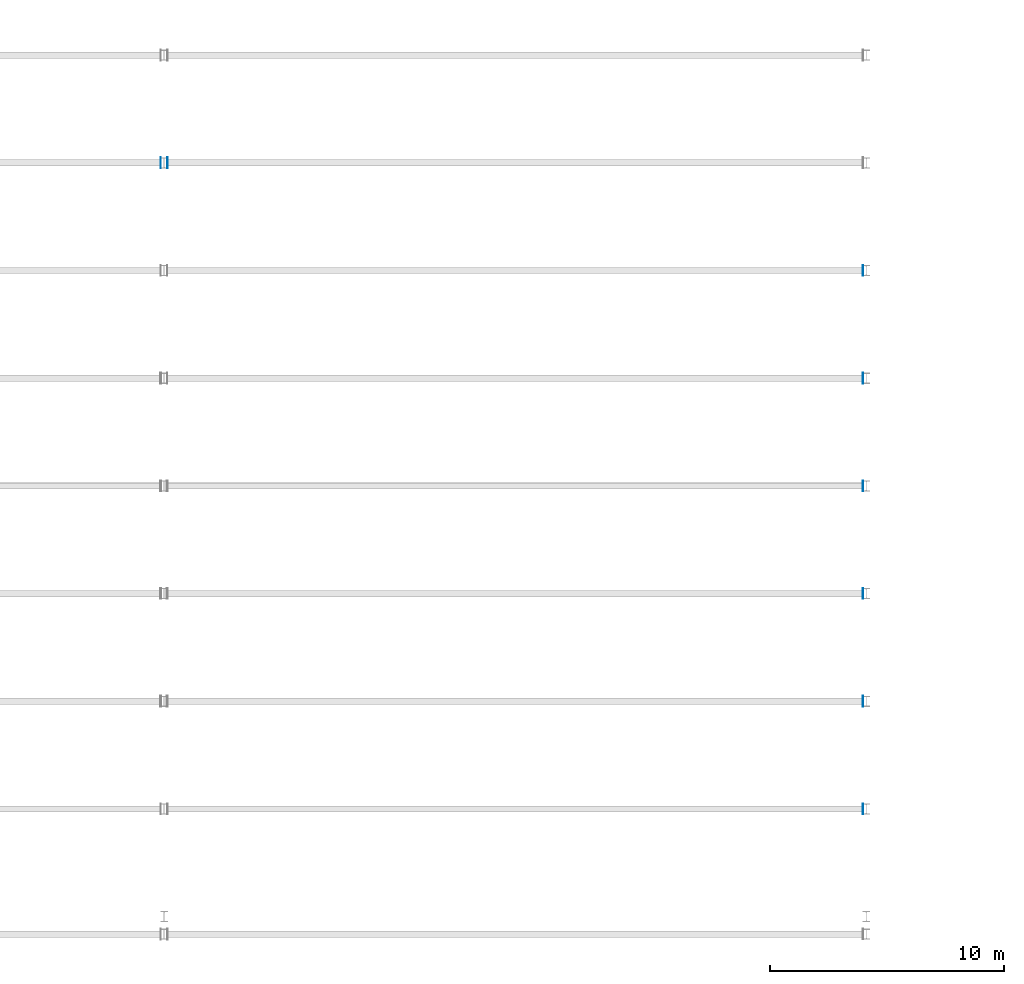
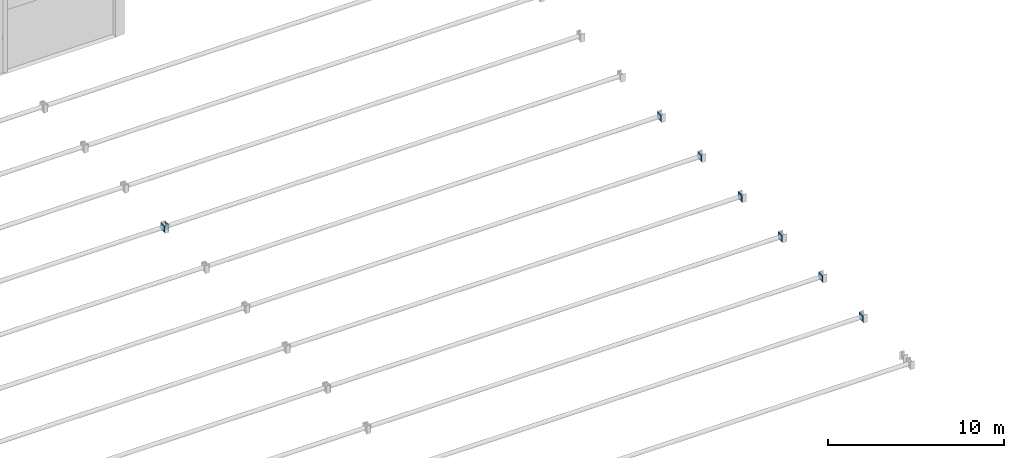
# One storey, part 28 of 38: 8 plates.
"""IFC4 building model written with IfcOpenShell, lengths in metres."""

import ifcopenshell
import ifcopenshell.guid

model = None  # the IFC model being written
_history = None  # IfcOwnerHistory: only IFC2X3 demands one
_inside = {}  # id of a spatial element -> (the spatial element, [elements in it])
_under = {}  # id of a project, library or spatial element -> (it, [spatial elements below it])
_declared = {}  # id of a project -> (the project, [libraries it declares])
_typed = {}  # id of a type object -> (the type object, [elements of that type])
_made_of = {}  # id of a material, layer set ... -> (it, [elements and type objects made of it])


def new_model(schema):
    """Start an empty IFC model of exactly this schema.

    Asked for "IFC4X3", IfcOpenShell would pick the latest addendum, in which some entities
    have other attributes; the version numbers below select the first issue.
    IFC2X3 requires an IfcOwnerHistory on every rooted entity: one is made here for all.
    """
    global model, _history
    if schema == "IFC4X3":
        model = ifcopenshell.file(schema_version=(4, 3, 0, 0))
    else:
        model = ifcopenshell.file(schema=schema)
    _inside.clear()
    _under.clear()
    _declared.clear()
    _typed.clear()
    _made_of.clear()
    _history = None
    if model.schema == "IFC2X3":
        org = make("IfcOrganization", Name="unknown")
        user = make(
            "IfcPersonAndOrganization",
            ThePerson=make("IfcPerson", FamilyName="unknown"),
            TheOrganization=org,
        )
        app = make(
            "IfcApplication",
            ApplicationDeveloper=org,
            Version="unknown",
            ApplicationFullName="unknown",
            ApplicationIdentifier="unknown",
        )
        _history = make(
            "IfcOwnerHistory",
            OwningUser=user,
            OwningApplication=app,
            ChangeAction="ADDED",
            CreationDate=0,
        )
    return model


def make(cls, **values):
    """One entity of the class cls with the attributes given. An attribute that is None is left unset."""
    return model.create_entity(
        cls, **{name: value for name, value in values.items() if value is not None}
    )


def rooted(cls, **values):
    """An entity with a GlobalId (a new one), such as an element, a storey or a relation."""
    return make(cls, GlobalId=ifcopenshell.guid.new(), OwnerHistory=_history, **values)


def si_unit(unit_type, name, prefix=None):
    """IfcSIUnit, for example si_unit("LENGTHUNIT", "METRE", prefix="MILLI")."""
    return make("IfcSIUnit", UnitType=unit_type, Prefix=prefix, Name=name)


def assignment(units):
    """IfcUnitAssignment: the units of a project."""
    return None if units is None else make("IfcUnitAssignment", Units=units)


def point(xyz):
    """IfcCartesianPoint."""
    return None if xyz is None else make("IfcCartesianPoint", Coordinates=xyz)


def direction(xyz):
    """IfcDirection."""
    return None if xyz is None else make("IfcDirection", DirectionRatios=xyz)


def frame(location, z_axis=None, x_axis=None):
    """IfcAxis2Placement3D, a coordinate frame: its origin and axes. An axis left out is left unset."""
    return make(
        "IfcAxis2Placement3D",
        Location=point(location),
        Axis=direction(z_axis),
        RefDirection=direction(x_axis),
    )


def frame_2d(location, x_axis=None):
    """IfcAxis2Placement2D, a coordinate frame in the plane: its origin and x axis."""
    return make(
        "IfcAxis2Placement2D", Location=point(location), RefDirection=direction(x_axis)
    )


def origin():
    """The frame at (0, 0, 0) with its axes left unset."""
    return frame((0.0, 0.0, 0.0))


def origin_2d():
    """The frame at (0, 0) in the plane with its x axis left unset."""
    return frame_2d((0.0, 0.0))


def place(relative_to, where):
    """IfcLocalPlacement: puts the frame where relative to a parent placement (None: the world)."""
    return make(
        "IfcLocalPlacement", PlacementRelTo=relative_to, RelativePlacement=where
    )


def context(
    kind, dimensions, precision=None, world=None, true_north=None, identifier=None
):
    """IfcGeometricRepresentationContext, for example the 3D "Model" context."""
    return make(
        "IfcGeometricRepresentationContext",
        ContextIdentifier=identifier,
        ContextType=kind,
        CoordinateSpaceDimension=dimensions,
        Precision=precision,
        WorldCoordinateSystem=world,
        TrueNorth=true_north,
    )


def subcontext(parent, identifier, kind, view, scale=None):
    """IfcGeometricRepresentationSubContext, for example "Body" below "Model"."""
    return make(
        "IfcGeometricRepresentationSubContext",
        ContextIdentifier=identifier,
        ContextType=kind,
        ParentContext=parent,
        TargetScale=scale,
        TargetView=view,
    )


def project(units=None, contexts=None):
    """IfcProject with its units and contexts."""
    return rooted(
        "IfcProject",
        Name="project",
        RepresentationContexts=contexts,
        UnitsInContext=assignment(units),
    )


def spatial(cls, under=None, at=None, **own):
    """A site, building, storey or space (cls), placed at a placement, below another one or the project."""
    s = rooted(cls, ObjectPlacement=at, **own)
    if under is not None:
        _under.setdefault(under.id(), (under, []))[1].append(s)
    return s


def profile(cls, at=None, kind="AREA", **sizes):
    """A parametric profile (cls). Its sizes go by their IFC names, for example OverallWidth=200.0."""
    return make(cls, ProfileType=kind, Position=at, **sizes)


def rectangle(**sizes):
    """IfcRectangleProfileDef."""
    return profile("IfcRectangleProfileDef", **sizes)


def extrude(swept, where, along, depth):
    """IfcExtrudedAreaSolid: the profile swept, set in the frame where, extruded along a direction by depth."""
    return make(
        "IfcExtrudedAreaSolid",
        SweptArea=swept,
        Position=where,
        ExtrudedDirection=direction(along),
        Depth=depth,
    )


def shape(context_of_items, identifier, shape_type, items):
    """IfcShapeRepresentation: the items that make up one representation, for example the "Body"."""
    return make(
        "IfcShapeRepresentation",
        ContextOfItems=context_of_items,
        RepresentationIdentifier=identifier,
        RepresentationType=shape_type,
        Items=items,
    )


def material(Name=None, Category=None):
    """IfcMaterial."""
    return make("IfcMaterial", Name=Name, Category=Category)


def layer(
    of_material, thickness, ventilated=None, Name=None, Category=None, Priority=None
):
    """IfcMaterialLayer: one layer of a wall or slab, of a material (None: an air gap)."""
    return make(
        "IfcMaterialLayer",
        Material=of_material,
        LayerThickness=thickness,
        IsVentilated=ventilated,
        Name=Name,
        Category=Category,
        Priority=Priority,
    )


def layer_set(layers, Name=None):
    """IfcMaterialLayerSet."""
    return make("IfcMaterialLayerSet", MaterialLayers=layers, LayerSetName=Name)


def made_of(thing, what):
    """Note that an element or type object is made of a material, layer set ...; save() writes the relation."""
    if what is not None:
        _made_of.setdefault(what.id(), (what, []))[1].append(thing)
    return thing


def type_object(cls, material=None, **own):
    """A type object (cls), such as IfcWallType, which elements share."""
    return made_of(rooted(cls, **own), material)


def element(
    cls,
    number,
    at=None,
    inside=None,
    cuts=None,
    type_object=None,
    material=None,
    context=None,
    identifier="Body",
    shape_type=None,
    held_by="IfcProductDefinitionShape",
    body=None,
    shapes=None,
    **own,
):
    """One element of the class cls, such as IfcWall. Its Tag is "e" and its number.

    at: its placement. inside: the storey or other place that contains it. cuts: it is an
    opening in that element (IfcRelVoidsElement). A single representation is given by context,
    identifier, shape_type and body (its items); several are given by shapes. held_by: the class
    of the entity that holds the representations. save() writes the other relations.
    """
    e = rooted(cls, Tag="e%d" % number, ObjectPlacement=at, **own)
    if body is not None:
        shapes = [shape(context, identifier, shape_type, body)]
    if shapes is not None:
        e.Representation = make(held_by, Representations=shapes)
    if inside is not None:
        _inside.setdefault(inside.id(), (inside, []))[1].append(e)
    if cuts is not None:
        rooted(
            "IfcRelVoidsElement", RelatingBuildingElement=cuts, RelatedOpeningElement=e
        )
    if type_object is not None:
        _typed.setdefault(type_object.id(), (type_object, []))[1].append(e)
    return made_of(e, material)


def aggregate(whole, parts):
    """IfcRelAggregates: a whole, such as a stair, and the parts it consists of."""
    return rooted("IfcRelAggregates", RelatingObject=whole, RelatedObjects=parts)


def save(model, path):
    """Write the relations noted so far, then the file.

    IfcRelAggregates (storeys below a building ...), IfcRelContainedInSpatialStructure (elements
    in a storey), IfcRelDefinesByType, IfcRelAssociatesMaterial and IfcRelDeclares: one each for
    every whole, place, type object, material and project.
    """
    for whole, parts in _under.values():
        aggregate(whole, parts)
    for where, things in _inside.values():
        rooted(
            "IfcRelContainedInSpatialStructure",
            RelatedElements=things,
            RelatingStructure=where,
        )
    for kind, things in _typed.values():
        rooted("IfcRelDefinesByType", RelatedObjects=things, RelatingType=kind)
    for what, things in _made_of.values():
        rooted("IfcRelAssociatesMaterial", RelatedObjects=things, RelatingMaterial=what)
    for by, libraries in _declared.values():
        rooted("IfcRelDeclares", RelatingContext=by, RelatedDefinitions=libraries)
    model.write(path)


model = new_model("IFC4")

# Units and contexts
model_context = context("Model", 3, precision=1e-05, world=origin(), true_north=direction((0.0, 1.0)))
body_context = subcontext(model_context, "Body", "Model", "MODEL_VIEW")
ifc_project = project(units=[si_unit("LENGTHUNIT", "METRE"), si_unit("AREAUNIT", "SQUARE_METRE"), si_unit("VOLUMEUNIT", "CUBIC_METRE"), si_unit("PLANEANGLEUNIT", "RADIAN"), si_unit("MASSUNIT", "GRAM", prefix="KILO")], contexts=[model_context])

# Site, building, storey
site_placement = place(None, origin())
site = spatial("IfcSite", under=ifc_project, at=site_placement, CompositionType="ELEMENT")
building_placement = place(site_placement, origin())
building = spatial("IfcBuilding", under=site, at=building_placement, Name="Muzn Square Opera House", CompositionType="ELEMENT")
storey_placement = place(building_placement, frame((0.0, 0.0, 18.0)))
storey = spatial("IfcBuildingStorey", under=building, at=storey_placement, Name="L04", CompositionType="ELEMENT", Elevation=18.0)

# Plates
ifc_material = material(Name="Steel S355", Category="steel")
ifc_layer_1 = layer(ifc_material, 0.013916015625, Name="Steel S355", Category="steel")
ifc_layer_set_1 = layer_set([ifc_layer_1], Name="Steel S355")
plate_type_1 = type_object("IfcPlateType", Name="Gusset Plate 14mm 460x460", PredefinedType="USERDEFINED", material=ifc_layer_set_1)
plate_1_placement = place(storey_placement, frame((132.860107421875, 45.0, 0.070068359375), z_axis=(0.0, 0.0, 1.0), x_axis=(1.0, 0.0, 0.0)))
element("IfcPlate", 1, at=plate_1_placement, inside=storey, type_object=plate_type_1, Name="Vault Tie End Gusset Plate V3-05-E", ObjectType="GUSSET PLATE", PredefinedType="USERDEFINED", context=body_context, shape_type="SweptSolid", body=[
    extrude(rectangle(XDim=0.013916015625, YDim=0.4599609375, at=origin_2d()), origin(), (0.0, 0.0, 1.0), 0.4599609375),
])
ifc_layer_2 = layer(ifc_material, 0.01611328125, Name="Steel S355", Category="steel")
ifc_layer_set_2 = layer_set([ifc_layer_2], Name="Steel S355")
plate_type_2 = type_object("IfcPlateType", Name="Gusset Plate 16mm 460x460", PredefinedType="USERDEFINED", material=ifc_layer_set_2)
for number, where, z_axis, x_axis, name in (
    (2, (102.860107421875, 54.199951171875, 0.070068359375), (0.0, 0.0, 1.0), (1.0, 0.0, 0.0), "Vault Tie End Gusset Plate V2-07-E"),
    (3, (132.860107421875, 49.60009765625, 0.070068359375), (0.0, 0.0, 1.0), (1.0, 0.0, 0.0), "Vault Tie End Gusset Plate V3-06-E"),
):
    element("IfcPlate", number, at=place(storey_placement, frame(where, z_axis=z_axis, x_axis=x_axis)), inside=storey, type_object=plate_type_2, Name=name, ObjectType="GUSSET PLATE", PredefinedType="USERDEFINED", context=body_context, shape_type="SweptSolid", body=[
        extrude(rectangle(XDim=0.01611328125, YDim=0.4599609375, at=origin_2d()), origin(), (0.0, 0.0, 1.0), 0.4599609375),
    ])
ifc_layer_3 = layer(ifc_material, 0.01806640625, Name="Steel S355", Category="steel")
ifc_layer_set_3 = layer_set([ifc_layer_3], Name="Steel S355")
plate_type_3 = type_object("IfcPlateType", Name="Gusset Plate 18mm 460x460", PredefinedType="USERDEFINED", material=ifc_layer_set_3)
plate_2_placement = place(storey_placement, frame((103.139892578125, 54.199951171875, 0.070068359375), z_axis=(0.0, 0.0, 1.0), x_axis=(1.0, 0.0, 0.0)))
element("IfcPlate", 4, at=plate_2_placement, inside=storey, type_object=plate_type_3, Name="Vault Tie End Gusset Plate V3-07-W", ObjectType="GUSSET PLATE", PredefinedType="USERDEFINED", context=body_context, shape_type="SweptSolid", body=[
    extrude(rectangle(XDim=0.01806640625, YDim=0.4599609375, at=origin_2d()), origin(), (0.0, 0.0, 1.0), 0.4599609375),
])
ifc_layer_4 = layer(ifc_material, 0.02392578125, Name="Steel S355", Category="steel")
ifc_layer_set_4 = layer_set([ifc_layer_4], Name="Steel S355")
plate_type_4 = type_object("IfcPlateType", Name="Gusset Plate 24mm 460x460", PredefinedType="USERDEFINED", material=ifc_layer_set_4)
plate_3_placement = place(storey_placement, frame((132.860107421875, 26.60009765625, 0.070068359375), z_axis=(0.0, 0.0, 1.0), x_axis=(1.0, 0.0, 0.0)))
element("IfcPlate", 5, at=plate_3_placement, inside=storey, type_object=plate_type_4, Name="Vault Tie End Gusset Plate V3-01-E", ObjectType="GUSSET PLATE", PredefinedType="USERDEFINED", context=body_context, shape_type="SweptSolid", body=[
    extrude(rectangle(XDim=0.02392578125, YDim=0.4599609375, at=origin_2d()), origin(), (0.0, 0.0, 1.0), 0.4599609375),
])
ifc_layer_5 = layer(ifc_material, 0.028076171875, Name="Steel S355", Category="steel")
ifc_layer_set_5 = layer_set([ifc_layer_5], Name="Steel S355")
plate_type_5 = type_object("IfcPlateType", Name="Gusset Plate 28mm 460x460", PredefinedType="USERDEFINED", material=ifc_layer_set_5)
plate_4_placement = place(storey_placement, frame((132.860107421875, 31.199951171875, 0.070068359375), z_axis=(0.0, 0.0, 1.0), x_axis=(1.0, 0.0, 0.0)))
element("IfcPlate", 6, at=plate_4_placement, inside=storey, type_object=plate_type_5, Name="Vault Tie End Gusset Plate V3-02-E", ObjectType="GUSSET PLATE", PredefinedType="USERDEFINED", context=body_context, shape_type="SweptSolid", body=[
    extrude(rectangle(XDim=0.028076171875, YDim=0.4599609375, at=origin_2d()), origin(), (0.0, 0.0, 1.0), 0.4599609375),
])
ifc_layer_6 = layer(ifc_material, 0.031982421875, Name="Steel S355", Category="steel")
ifc_layer_set_6 = layer_set([ifc_layer_6], Name="Steel S355")
plate_type_6 = type_object("IfcPlateType", Name="Gusset Plate 32mm 460x460", PredefinedType="USERDEFINED", material=ifc_layer_set_6)
plate_5_placement = place(storey_placement, frame((132.860107421875, 35.800048828125, 0.070068359375), z_axis=(0.0, 0.0, 1.0), x_axis=(1.0, 0.0, 0.0)))
element("IfcPlate", 7, at=plate_5_placement, inside=storey, type_object=plate_type_6, Name="Vault Tie End Gusset Plate V3-03-E", ObjectType="GUSSET PLATE", PredefinedType="USERDEFINED", context=body_context, shape_type="SweptSolid", body=[
    extrude(rectangle(XDim=0.031982421875, YDim=0.4599609375, at=origin_2d()), origin(), (0.0, 0.0, 1.0), 0.4599609375),
])
ifc_layer_7 = layer(ifc_material, 0.035888671875, Name="Steel S355", Category="steel")
ifc_layer_set_7 = layer_set([ifc_layer_7], Name="Steel S355")
plate_type_7 = type_object("IfcPlateType", Name="Gusset Plate 36mm 460x460", PredefinedType="USERDEFINED", material=ifc_layer_set_7)
plate_6_placement = place(storey_placement, frame((132.860107421875, 40.39990234375, 0.070068359375), z_axis=(0.0, 0.0, 1.0), x_axis=(1.0, 0.0, 0.0)))
element("IfcPlate", 8, at=plate_6_placement, inside=storey, type_object=plate_type_7, Name="Vault Tie End Gusset Plate V3-04-E", ObjectType="GUSSET PLATE", PredefinedType="USERDEFINED", context=body_context, shape_type="SweptSolid", body=[
    extrude(rectangle(XDim=0.035888671875, YDim=0.4599609375, at=origin_2d()), origin(), (0.0, 0.0, 1.0), 0.4599609375),
])

save(model, "model.ifc")
